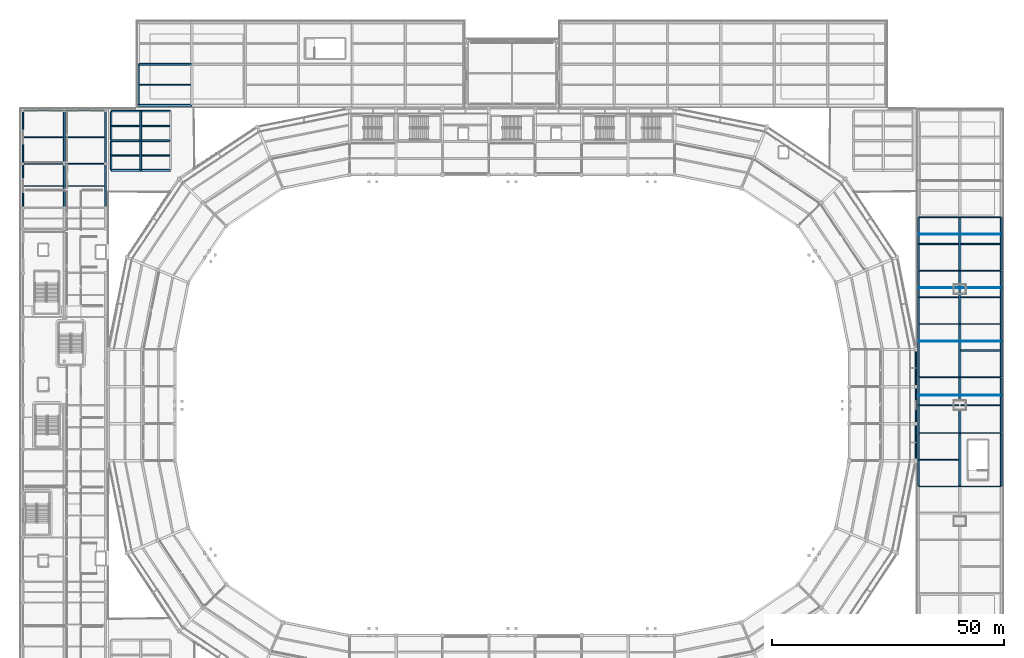
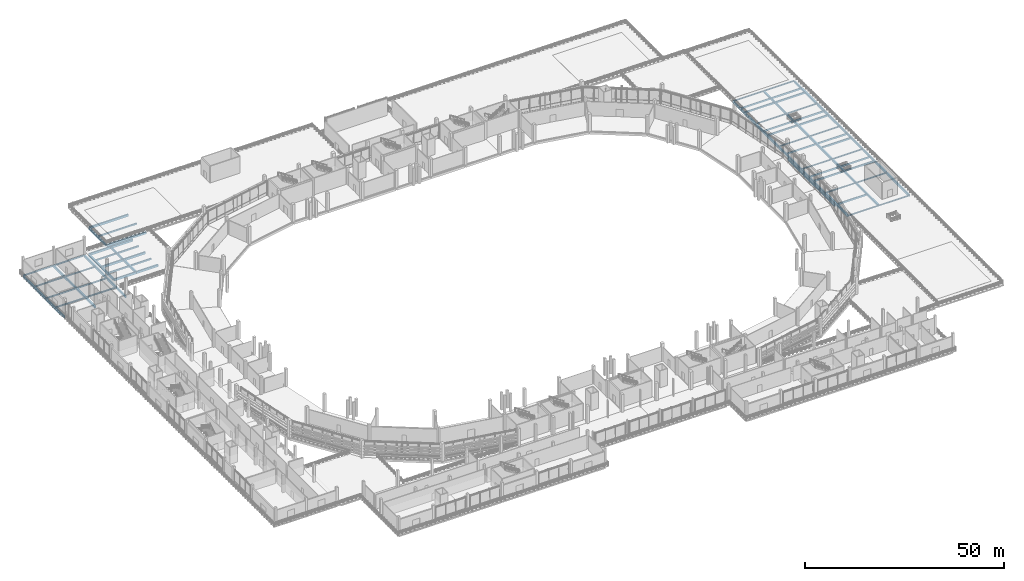
# One storey, part 44 of 111: 70 beams, 4 members.
"""IFC4 building model written with IfcOpenShell, lengths in metres."""

from ifc_helpers import new_model, si_unit, direction, frame, origin, origin_2d, place, context, subcontext, project, spatial, rectangle, i_section, extrude, material, material_profile, profile_set, type_object, element, save


model = new_model("IFC4")

# Units and contexts
model_context = context("Model", 3, precision=1e-05, world=origin(), true_north=direction((0.0, 1.0)))
body_context = subcontext(model_context, "Body", "Model", "MODEL_VIEW")
ifc_project = project(units=[si_unit("LENGTHUNIT", "METRE"), si_unit("AREAUNIT", "SQUARE_METRE"), si_unit("VOLUMEUNIT", "CUBIC_METRE"), si_unit("PLANEANGLEUNIT", "RADIAN"), si_unit("MASSUNIT", "GRAM", prefix="KILO")], contexts=[model_context])

# Site, building, storey
site_placement = place(None, origin())
site = spatial("IfcSite", under=ifc_project, at=site_placement, CompositionType="ELEMENT")
building_placement = place(site_placement, origin())
building = spatial("IfcBuilding", under=site, at=building_placement, Name="Candeia Ridge Stadium", CompositionType="ELEMENT")
storey_placement = place(building_placement, frame((0.0, 0.0, 16.199951171875)))
storey = spatial("IfcBuildingStorey", under=building, at=storey_placement, Name="L03", CompositionType="ELEMENT", Elevation=16.199951171875)

# Beams
ifc_material_1 = material(Name="Concrete C40/50", Category="concrete")
ifc_material_profile_1 = material_profile(ifc_material_1, rectangle(XDim=0.300048828125, YDim=0.449951171875, at=origin_2d()), Name="RC300x450", Category="concrete")
ifc_profile_set_1 = profile_set([ifc_material_profile_1], Name="Concrete C40/50")
beam_type_1 = type_object("IfcBeamType", Name="Floor Joist RC300x450", PredefinedType="JOIST", material=ifc_profile_set_1)
beam_1_placement = place(storey_placement, frame((25.674560546875, 152.050048828125, -0.5048828125), z_axis=(1.0, 0.0, 0.0), x_axis=(0.0, 1.0, 0.0)))
element("IfcBeam", 1, at=beam_1_placement, inside=storey, type_object=beam_type_1, Name="Wing secondary joist BM-L03-1867", PredefinedType="JOIST", context=body_context, shape_type="SweptSolid", body=[
    extrude(rectangle(XDim=0.300048828125, YDim=0.449951171875, at=origin_2d()), origin(), (0.0, 0.0, 1.0), 11.1259765625),
])
for number, where, z_axis, x_axis, name in (
    (2, (19.7744140625, 136.800048828125, -0.474853515625), (1.0, 0.0, 0.0), (0.0, 1.0, 0.0), "Wing secondary joist BM-L03-2391"),
    (3, (19.7744140625, 143.199951171875, -0.474853515625), (1.0, 0.0, 0.0), (0.0, 1.0, 0.0), "Wing secondary joist BM-L03-2393"),
    (4, (26.199462890625, 136.800048828125, -0.474853515625), (1.0, 0.0, 0.0), (0.0, 1.0, 0.0), "Wing secondary joist BM-L03-2396"),
    (5, (26.199462890625, 143.199951171875, -0.474853515625), (1.0, 0.0, 0.0), (0.0, 1.0, 0.0), "Wing secondary joist BM-L03-2398"),
):
    element("IfcBeam", number, at=place(storey_placement, frame(where, z_axis=z_axis, x_axis=x_axis)), inside=storey, type_object=beam_type_1, Name=name, PredefinedType="JOIST", context=body_context, shape_type="SweptSolid", body=[
        extrude(rectangle(XDim=0.300048828125, YDim=0.449951171875, at=origin_2d()), origin(), (0.0, 0.0, 1.0), 6.026123046875),
    ])
ifc_material_profile_2 = material_profile(ifc_material_1, rectangle(XDim=0.300048828125, YDim=0.5, at=origin_2d()), Name="RC300x500", Category="concrete")
ifc_profile_set_2 = profile_set([ifc_material_profile_2], Name="Concrete C40/50")
beam_type_2 = type_object("IfcBeamType", Name="Floor Joist RC300x500", PredefinedType="JOIST", material=ifc_profile_set_2)
for number, where, z_axis, x_axis, name in (
    (6, (193.7744140625, 71.25, -0.530029296875), (1.0, 0.0, 0.0), (0.0, 1.0, 0.0), "Wing secondary joist BM-L03-1817"),
    (7, (193.7744140625, 83.0, -0.530029296875), (1.0, 0.0, 0.0), (0.0, 1.0, 0.0), "Wing secondary joist BM-L03-1819"),
    (8, (193.7744140625, 106.25, -0.530029296875), (1.0, 0.0, 0.0), (0.0, 1.0, 0.0), "Wing secondary joist BM-L03-1822"),
    (9, (193.7744140625, 117.75, -0.530029296875), (1.0, 0.0, 0.0), (0.0, 1.0, 0.0), "Wing secondary joist BM-L03-1824"),
    (10, (202.699462890625, 83.0, -0.530029296875), (1.0, 0.0, 0.0), (0.0, 1.0, 0.0), "Wing secondary joist BM-L03-1840"),
    (11, (202.699462890625, 94.75, -0.530029296875), (1.0, 0.0, 0.0), (0.0, 1.0, 0.0), "Wing secondary joist BM-L03-1842"),
    (12, (202.699462890625, 106.25, -0.530029296875), (1.0, 0.0, 0.0), (0.0, 1.0, 0.0), "Wing secondary joist BM-L03-1844"),
    (13, (202.699462890625, 117.75, -0.530029296875), (1.0, 0.0, 0.0), (0.0, 1.0, 0.0), "Wing secondary joist BM-L03-1846"),
):
    element("IfcBeam", number, at=place(storey_placement, frame(where, z_axis=z_axis, x_axis=x_axis)), inside=storey, type_object=beam_type_2, Name=name, PredefinedType="JOIST", context=body_context, shape_type="SweptSolid", body=[
        extrude(rectangle(XDim=0.300048828125, YDim=0.5, at=origin_2d()), origin(), (0.0, 0.0, 1.0), 8.526123046875),
    ])
ifc_material_profile_3 = material_profile(ifc_material_1, rectangle(XDim=0.39990234375, YDim=0.60009765625, at=origin_2d()), Name="RC400x600", Category="concrete")
ifc_profile_set_3 = profile_set([ifc_material_profile_3], Name="Concrete C40/50")
beam_type_3 = type_object("IfcBeamType", Name="Frame Girder RC400x600", PredefinedType="BEAM", material=ifc_profile_set_3)
beam_2_placement = place(storey_placement, frame((202.5, 65.659912109375, -0.579833984375), z_axis=(0.0, 1.0, 0.0), x_axis=(-1.0, 0.0, 0.0)))
element("IfcBeam", 14, at=beam_2_placement, inside=storey, type_object=beam_type_3, Name="Structural girder BM-L03-1791", PredefinedType="BEAM", context=body_context, shape_type="SweptSolid", body=[
    extrude(rectangle(XDim=0.39990234375, YDim=0.60009765625, at=origin_2d()), origin(), (0.0, 0.0, 1.0), 11.18017578125),
])
beam_3_placement = place(storey_placement, frame((202.5, 77.159912109375, -0.579833984375), z_axis=(0.0, 1.0, 0.0), x_axis=(-1.0, 0.0, 0.0)))
element("IfcBeam", 15, at=beam_3_placement, inside=storey, type_object=beam_type_3, Name="Structural girder BM-L03-1792", PredefinedType="BEAM", context=body_context, shape_type="SweptSolid", body=[
    extrude(rectangle(XDim=0.39990234375, YDim=0.60009765625, at=origin_2d()), origin(), (0.0, 0.0, 1.0), 11.68017578125),
])
for number, where, z_axis, x_axis, name in (
    (16, (202.5, 89.159912109375, -0.579833984375), (0.0, 1.0, 0.0), (-1.0, 0.0, 0.0), "Structural girder BM-L03-1793"),
    (17, (202.5, 100.659912109375, -0.579833984375), (0.0, 1.0, 0.0), (-1.0, 0.0, 0.0), "Structural girder BM-L03-1794"),
    (18, (202.5, 112.159912109375, -0.579833984375), (0.0, 1.0, 0.0), (-1.0, 0.0, 0.0), "Structural girder BM-L03-1795"),
):
    element("IfcBeam", number, at=place(storey_placement, frame(where, z_axis=z_axis, x_axis=x_axis)), inside=storey, type_object=beam_type_3, Name=name, PredefinedType="BEAM", context=body_context, shape_type="SweptSolid", body=[
        extrude(rectangle(XDim=0.39990234375, YDim=0.60009765625, at=origin_2d()), origin(), (0.0, 0.0, 1.0), 11.18017578125),
    ])
for number, where, z_axis, x_axis, name in (
    (19, (26.0, 133.760009765625, -0.550048828125), (0.0, 1.0, 0.0), (-1.0, 0.0, 0.0), "Structural girder BM-L03-2386"),
    (20, (26.0, 140.159912109375, -0.579833984375), (0.0, 1.0, 0.0), (-1.0, 0.0, 0.0), "Structural girder BM-L03-2387"),
):
    element("IfcBeam", number, at=place(storey_placement, frame(where, z_axis=z_axis, x_axis=x_axis)), inside=storey, type_object=beam_type_3, Name=name, PredefinedType="BEAM", context=body_context, shape_type="SweptSolid", body=[
        extrude(rectangle(XDim=0.39990234375, YDim=0.60009765625, at=origin_2d()), origin(), (0.0, 0.0, 1.0), 6.080078125),
    ])
ifc_material_2 = material(Name="Steel ASTM A572 Grade 50", Category="steel")
ifc_material_profile_4 = material_profile(ifc_material_2, i_section(OverallWidth=0.1669921875, OverallDepth=0.31689453125, WebThickness=0.007568359375, FlangeThickness=0.01318359375, FilletRadius=0.011962890625, at=origin_2d()), Name="W310x52", Category="steel")
ifc_profile_set_4 = profile_set([ifc_material_profile_4], Name="Steel ASTM A572 Grade 50")
beam_type_4 = type_object("IfcBeamType", Name="Pavilion Secondary Joist W310x52", PredefinedType="JOIST", material=ifc_profile_set_4)
for number, where, z_axis, x_axis, name in (
    (21, (0.7744140625, 130.25, -0.408447265625), (1.0, 0.0, 0.0), (0.0, 1.0, 0.0), "Wing secondary joist BM-L03-1245"),
    (22, (0.7744140625, 140.75, -0.408447265625), (1.0, 0.0, 0.0), (0.0, 1.0, 0.0), "Wing secondary joist BM-L03-1247"),
    (23, (9.699462890625, 130.25, -0.408447265625), (1.0, 0.0, 0.0), (0.0, 1.0, 0.0), "Wing secondary joist BM-L03-1269"),
    (24, (9.699462890625, 140.75, -0.408447265625), (1.0, 0.0, 0.0), (0.0, 1.0, 0.0), "Wing secondary joist BM-L03-1271"),
):
    element("IfcBeam", number, at=place(storey_placement, frame(where, z_axis=z_axis, x_axis=x_axis)), inside=storey, type_object=beam_type_4, Name=name, PredefinedType="JOIST", context=body_context, shape_type="SweptSolid", body=[
        extrude(i_section(OverallWidth=0.1669921875, OverallDepth=0.31689453125, WebThickness=0.007568359375, FlangeThickness=0.01318359375, FilletRadius=0.011962890625, at=origin_2d()), origin(), (0.0, 0.0, 1.0), 8.526123046875),
    ])
ifc_material_profile_5 = material_profile(ifc_material_2, i_section(OverallWidth=0.18994140625, OverallDepth=0.45703125, WebThickness=0.009033203125, FlangeThickness=0.014404296875, FilletRadius=0.012939453125, at=origin_2d()), Name="W460x74", Category="steel")
ifc_profile_set_5 = profile_set([ifc_material_profile_5], Name="Steel ASTM A572 Grade 50")
beam_type_5 = type_object("IfcBeamType", Name="Pavilion Steel Girder W460x74", PredefinedType="BEAM", material=ifc_profile_set_5)
for number, where, z_axis, x_axis, name in (
    (25, (0.64990234375, 135.0, -0.478515625), (1.0, 0.0, 0.0), (0.0, 1.0, 0.0), "Structural girder BM-L03-1246"),
    (26, (0.64990234375, 146.5, -0.478515625), (1.0, 0.0, 0.0), (0.0, 1.0, 0.0), "Structural girder BM-L03-1248"),
    (27, (9.550048828125, 135.0, -0.478515625), (1.0, 0.0, 0.0), (0.0, 1.0, 0.0), "Structural girder BM-L03-1270"),
    (28, (9.550048828125, 146.5, -0.478515625), (1.0, 0.0, 0.0), (0.0, 1.0, 0.0), "Structural girder BM-L03-1272"),
):
    element("IfcBeam", number, at=place(storey_placement, frame(where, z_axis=z_axis, x_axis=x_axis)), inside=storey, type_object=beam_type_5, Name=name, PredefinedType="BEAM", context=body_context, shape_type="SweptSolid", body=[
        extrude(i_section(OverallWidth=0.18994140625, OverallDepth=0.45703125, WebThickness=0.009033203125, FlangeThickness=0.014404296875, FilletRadius=0.012939453125, at=origin_2d()), origin(), (0.0, 0.0, 1.0), 8.800048828125),
    ])
ifc_material_profile_6 = material_profile(ifc_material_1, rectangle(XDim=0.340087890625, YDim=0.679931640625, at=origin_2d()), Name="RC340x680", Category="concrete")
ifc_profile_set_6 = profile_set([ifc_material_profile_6], Name="Concrete C40/50")
beam_type_6 = type_object("IfcBeamType", Name="Spandrel Beam RC340x680", PredefinedType="SPANDREL", material=ifc_profile_set_6)
for number, where, z_axis, x_axis, name in (
    (29, (193.0, 71.159912109375, -0.58984375), (0.0, 1.0, 0.0), (-1.0, 0.0, 0.0), "Bowl perimeter spandrel BM-L03-0689"),
    (30, (193.0, 79.159912109375, -0.58984375), (0.0, 1.0, 0.0), (-1.0, 0.0, 0.0), "Bowl perimeter spandrel BM-L03-0694"),
    (31, (193.0, 87.159912109375, -0.58984375), (0.0, 1.0, 0.0), (-1.0, 0.0, 0.0), "Bowl perimeter spandrel BM-L03-0699"),
):
    element("IfcBeam", number, at=place(storey_placement, frame(where, z_axis=z_axis, x_axis=x_axis)), inside=storey, type_object=beam_type_6, Name=name, PredefinedType="SPANDREL", context=body_context, shape_type="SweptSolid", body=[
        extrude(rectangle(XDim=0.340087890625, YDim=0.679931640625, at=origin_2d()), origin(), (0.0, 0.0, 1.0), 7.68017578125),
    ])
ifc_material_profile_7 = material_profile(ifc_material_1, rectangle(XDim=0.35009765625, YDim=0.64990234375, at=origin_2d()), Name="RC350x650", Category="concrete")
ifc_profile_set_7 = profile_set([ifc_material_profile_7], Name="Concrete C40/50")
beam_type_7 = type_object("IfcBeamType", Name="Spandrel Beam RC350x650", PredefinedType="SPANDREL", material=ifc_profile_set_7)
beam_4_placement = place(storey_placement, frame((0.60009765625, 125.659912109375, -0.574951171875), z_axis=(0.0, 1.0, 0.0), x_axis=(-1.0, 0.0, 0.0)))
element("IfcBeam", 32, at=beam_4_placement, inside=storey, type_object=beam_type_7, Name="Structural girder BM-L03-1205", PredefinedType="SPANDREL", context=body_context, shape_type="SweptSolid", body=[
    extrude(rectangle(XDim=0.35009765625, YDim=0.64990234375, at=origin_2d()), origin(), (0.0, 0.0, 1.0), 9.18017578125),
])
beam_5_placement = place(storey_placement, frame((0.60009765625, 135.159912109375, -0.574951171875), z_axis=(0.0, 1.0, 0.0), x_axis=(-1.0, 0.0, 0.0)))
element("IfcBeam", 33, at=beam_5_placement, inside=storey, type_object=beam_type_7, Name="Structural girder BM-L03-1206", PredefinedType="SPANDREL", context=body_context, shape_type="SweptSolid", body=[
    extrude(rectangle(XDim=0.35009765625, YDim=0.64990234375, at=origin_2d()), origin(), (0.0, 0.0, 1.0), 11.18017578125),
])
beam_6_placement = place(storey_placement, frame((18.39990234375, 125.659912109375, -0.574951171875), z_axis=(0.0, 1.0, 0.0), x_axis=(-1.0, 0.0, 0.0)))
element("IfcBeam", 34, at=beam_6_placement, inside=storey, type_object=beam_type_7, Name="Structural girder BM-L03-1229", PredefinedType="SPANDREL", context=body_context, shape_type="SweptSolid", body=[
    extrude(rectangle(XDim=0.35009765625, YDim=0.64990234375, at=origin_2d()), origin(), (0.0, 0.0, 1.0), 9.18017578125),
])
for number, where, z_axis, x_axis, name in (
    (35, (18.39990234375, 135.159912109375, -0.574951171875), (0.0, 1.0, 0.0), (-1.0, 0.0, 0.0), "Structural girder BM-L03-1230"),
    (36, (193.60009765625, 65.659912109375, -0.60498046875), (0.0, 1.0, 0.0), (-1.0, 0.0, 0.0), "Structural girder BM-L03-1780"),
):
    element("IfcBeam", number, at=place(storey_placement, frame(where, z_axis=z_axis, x_axis=x_axis)), inside=storey, type_object=beam_type_7, Name=name, PredefinedType="SPANDREL", context=body_context, shape_type="SweptSolid", body=[
        extrude(rectangle(XDim=0.35009765625, YDim=0.64990234375, at=origin_2d()), origin(), (0.0, 0.0, 1.0), 11.18017578125),
    ])
beam_7_placement = place(storey_placement, frame((193.60009765625, 77.159912109375, -0.60498046875), z_axis=(0.0, 1.0, 0.0), x_axis=(-1.0, 0.0, 0.0)))
element("IfcBeam", 37, at=beam_7_placement, inside=storey, type_object=beam_type_7, Name="Structural girder BM-L03-1781", PredefinedType="SPANDREL", context=body_context, shape_type="SweptSolid", body=[
    extrude(rectangle(XDim=0.35009765625, YDim=0.64990234375, at=origin_2d()), origin(), (0.0, 0.0, 1.0), 11.68017578125),
])
for number, where, z_axis, x_axis, name in (
    (38, (193.60009765625, 89.159912109375, -0.60498046875), (0.0, 1.0, 0.0), (-1.0, 0.0, 0.0), "Structural girder BM-L03-1782"),
    (39, (193.60009765625, 100.659912109375, -0.60498046875), (0.0, 1.0, 0.0), (-1.0, 0.0, 0.0), "Structural girder BM-L03-1783"),
    (40, (193.60009765625, 112.159912109375, -0.60498046875), (0.0, 1.0, 0.0), (-1.0, 0.0, 0.0), "Structural girder BM-L03-1784"),
    (41, (211.39990234375, 65.659912109375, -0.60498046875), (0.0, 1.0, 0.0), (-1.0, 0.0, 0.0), "Structural girder BM-L03-1802"),
):
    element("IfcBeam", number, at=place(storey_placement, frame(where, z_axis=z_axis, x_axis=x_axis)), inside=storey, type_object=beam_type_7, Name=name, PredefinedType="SPANDREL", context=body_context, shape_type="SweptSolid", body=[
        extrude(rectangle(XDim=0.35009765625, YDim=0.64990234375, at=origin_2d()), origin(), (0.0, 0.0, 1.0), 11.18017578125),
    ])
beam_8_placement = place(storey_placement, frame((211.39990234375, 77.159912109375, -0.60498046875), z_axis=(0.0, 1.0, 0.0), x_axis=(-1.0, 0.0, 0.0)))
element("IfcBeam", 42, at=beam_8_placement, inside=storey, type_object=beam_type_7, Name="Structural girder BM-L03-1803", PredefinedType="SPANDREL", context=body_context, shape_type="SweptSolid", body=[
    extrude(rectangle(XDim=0.35009765625, YDim=0.64990234375, at=origin_2d()), origin(), (0.0, 0.0, 1.0), 11.68017578125),
])
for number, where, z_axis, x_axis, name in (
    (43, (211.39990234375, 89.159912109375, -0.60498046875), (0.0, 1.0, 0.0), (-1.0, 0.0, 0.0), "Structural girder BM-L03-1804"),
    (44, (211.39990234375, 100.659912109375, -0.60498046875), (0.0, 1.0, 0.0), (-1.0, 0.0, 0.0), "Structural girder BM-L03-1805"),
    (45, (211.39990234375, 112.159912109375, -0.60498046875), (0.0, 1.0, 0.0), (-1.0, 0.0, 0.0), "Structural girder BM-L03-1806"),
):
    element("IfcBeam", number, at=place(storey_placement, frame(where, z_axis=z_axis, x_axis=x_axis)), inside=storey, type_object=beam_type_7, Name=name, PredefinedType="SPANDREL", context=body_context, shape_type="SweptSolid", body=[
        extrude(rectangle(XDim=0.35009765625, YDim=0.64990234375, at=origin_2d()), origin(), (0.0, 0.0, 1.0), 11.18017578125),
    ])
beam_9_placement = place(storey_placement, frame((25.5, 147.760009765625, -0.60498046875), z_axis=(0.0, 1.0, 0.0), x_axis=(-1.0, 0.0, 0.0)))
element("IfcBeam", 46, at=beam_9_placement, inside=storey, type_object=beam_type_7, Name="Structural girder BM-L03-1852", PredefinedType="SPANDREL", context=body_context, shape_type="SweptSolid", body=[
    extrude(rectangle(XDim=0.35009765625, YDim=0.64990234375, at=origin_2d()), origin(), (0.0, 0.0, 1.0), 8.580078125),
])
for number, where, z_axis, x_axis, name in (
    (47, (19.60009765625, 133.760009765625, -0.574951171875), (0.0, 1.0, 0.0), (-1.0, 0.0, 0.0), "Structural girder BM-L03-2384"),
    (48, (19.60009765625, 140.159912109375, -0.574951171875), (0.0, 1.0, 0.0), (-1.0, 0.0, 0.0), "Structural girder BM-L03-2385"),
):
    element("IfcBeam", number, at=place(storey_placement, frame(where, z_axis=z_axis, x_axis=x_axis)), inside=storey, type_object=beam_type_7, Name=name, PredefinedType="SPANDREL", context=body_context, shape_type="SweptSolid", body=[
        extrude(rectangle(XDim=0.35009765625, YDim=0.64990234375, at=origin_2d()), origin(), (0.0, 0.0, 1.0), 6.080078125),
    ])
ifc_material_profile_8 = material_profile(ifc_material_2, i_section(OverallWidth=0.178955078125, OverallDepth=0.409912109375, WebThickness=0.0087890625, FlangeThickness=0.014404296875, FilletRadius=0.011962890625, at=origin_2d()), Name="W410x67", Category="steel")
ifc_profile_set_8 = profile_set([ifc_material_profile_8], Name="Steel ASTM A572 Grade 50")
beam_type_8 = type_object("IfcBeamType", Name="Warm-Up Hall Girder W410x67", PredefinedType="BEAM", material=ifc_profile_set_8)
for number, where, z_axis, x_axis, name in (
    (49, (193.64990234375, 65.5, -0.48486328125), (1.0, 0.0, 0.0), (0.0, 1.0, 0.0), "Structural girder BM-L03-1816"),
    (50, (193.64990234375, 77.0, -0.48486328125), (1.0, 0.0, 0.0), (0.0, 1.0, 0.0), "Structural girder BM-L03-1818"),
    (51, (193.64990234375, 89.0, -0.48486328125), (1.0, 0.0, 0.0), (0.0, 1.0, 0.0), "Structural girder BM-L03-1820"),
    (52, (193.64990234375, 100.5, -0.48486328125), (1.0, 0.0, 0.0), (0.0, 1.0, 0.0), "Structural girder BM-L03-1821"),
    (53, (193.64990234375, 112.0, -0.48486328125), (1.0, 0.0, 0.0), (0.0, 1.0, 0.0), "Structural girder BM-L03-1823"),
    (54, (193.64990234375, 123.5, -0.48486328125), (1.0, 0.0, 0.0), (0.0, 1.0, 0.0), "Structural girder BM-L03-1825"),
    (55, (202.550048828125, 65.5, -0.48486328125), (1.0, 0.0, 0.0), (0.0, 1.0, 0.0), "Structural girder BM-L03-1838"),
    (56, (202.550048828125, 77.0, -0.48486328125), (1.0, 0.0, 0.0), (0.0, 1.0, 0.0), "Structural girder BM-L03-1839"),
    (57, (202.550048828125, 89.0, -0.48486328125), (1.0, 0.0, 0.0), (0.0, 1.0, 0.0), "Structural girder BM-L03-1841"),
    (58, (202.550048828125, 100.5, -0.48486328125), (1.0, 0.0, 0.0), (0.0, 1.0, 0.0), "Structural girder BM-L03-1843"),
    (59, (202.550048828125, 112.0, -0.48486328125), (1.0, 0.0, 0.0), (0.0, 1.0, 0.0), "Structural girder BM-L03-1845"),
    (60, (202.550048828125, 123.5, -0.48486328125), (1.0, 0.0, 0.0), (0.0, 1.0, 0.0), "Structural girder BM-L03-1847"),
):
    element("IfcBeam", number, at=place(storey_placement, frame(where, z_axis=z_axis, x_axis=x_axis)), inside=storey, type_object=beam_type_8, Name=name, PredefinedType="BEAM", context=body_context, shape_type="SweptSolid", body=[
        extrude(i_section(OverallWidth=0.178955078125, OverallDepth=0.409912109375, WebThickness=0.0087890625, FlangeThickness=0.014404296875, FilletRadius=0.011962890625, at=origin_2d()), origin(), (0.0, 0.0, 1.0), 8.800048828125),
    ])

# Members
ifc_material_3 = material(Name="Glulam GL28h", Category="wood")
ifc_material_profile_9 = material_profile(ifc_material_3, rectangle(XDim=0.199951171875, YDim=0.52001953125, at=origin_2d()), Name="GL200x520", Category="wood")
ifc_profile_set_9 = profile_set([ifc_material_profile_9], Name="Glulam GL28h")
member_type = type_object("IfcMemberType", Name="Warm-Up Hall Glulam Rafter GL200x520", PredefinedType="RAFTER", material=ifc_profile_set_9)
for number, where, z_axis, x_axis, name in (
    (61, (193.64990234375, 85.159912109375, -0.5400390625), (1.0, 0.0, 0.0), (0.0, 1.0, 0.0), "Warm-up hall glulam roof rafter RAF-WU-07"),
    (62, (193.64990234375, 96.820068359375, -0.5400390625), (1.0, 0.0, 0.0), (0.0, 1.0, 0.0), "Warm-up hall glulam roof rafter RAF-WU-08"),
    (63, (193.64990234375, 108.320068359375, -0.5400390625), (1.0, 0.0, 0.0), (0.0, 1.0, 0.0), "Warm-up hall glulam roof rafter RAF-WU-09"),
    (64, (193.64990234375, 119.820068359375, -0.5400390625), (1.0, 0.0, 0.0), (0.0, 1.0, 0.0), "Warm-up hall glulam roof rafter RAF-WU-10"),
):
    element("IfcMember", number, at=place(storey_placement, frame(where, z_axis=z_axis, x_axis=x_axis)), inside=storey, type_object=member_type, Name=name, PredefinedType="RAFTER", context=body_context, shape_type="SweptSolid", body=[
        extrude(rectangle(XDim=0.199951171875, YDim=0.52001953125, at=origin_2d()), origin(), (0.0, 0.0, 1.0), 17.7001953125),
    ])

# Beams
ifc_material_profile_10 = material_profile(ifc_material_1, rectangle(XDim=0.39990234375, YDim=0.64990234375, at=origin_2d()), Name="RC400x650", Category="concrete")
ifc_profile_set_10 = profile_set([ifc_material_profile_10], Name="Concrete C40/50")
beam_type_9 = type_object("IfcBeamType", Name="Wing Primary Girder RC400x650", PredefinedType="BEAM", material=ifc_profile_set_10)
beam_10_placement = place(storey_placement, frame((9.5, 125.550048828125, -0.574951171875), z_axis=(0.0, 1.0, 0.0), x_axis=(-1.0, 0.0, 0.0)))
element("IfcBeam", 65, at=beam_10_placement, inside=storey, type_object=beam_type_9, Name="Structural girder BM-L03-1217", PredefinedType="BEAM", context=body_context, shape_type="SweptSolid", body=[
    extrude(rectangle(XDim=0.39990234375, YDim=0.64990234375, at=origin_2d()), origin(), (0.0, 0.0, 1.0), 9.39990234375),
])
for number, where, z_axis, x_axis, name in (
    (66, (9.5, 135.050048828125, -0.574951171875), (0.0, 1.0, 0.0), (-1.0, 0.0, 0.0), "Structural girder BM-L03-1218"),
    (67, (25.550048828125, 147.60009765625, -0.60498046875), (1.0, 0.0, 0.0), (0.0, 1.0, 0.0), "Structural girder BM-L03-1866"),
    (68, (25.550048828125, 156.5, -0.60498046875), (1.0, 0.0, 0.0), (0.0, 1.0, 0.0), "Structural girder BM-L03-1868"),
):
    element("IfcBeam", number, at=place(storey_placement, frame(where, z_axis=z_axis, x_axis=x_axis)), inside=storey, type_object=beam_type_9, Name=name, PredefinedType="BEAM", context=body_context, shape_type="SweptSolid", body=[
        extrude(rectangle(XDim=0.39990234375, YDim=0.64990234375, at=origin_2d()), origin(), (0.0, 0.0, 1.0), 11.39990234375),
    ])
for number, where, z_axis, x_axis, name in (
    (69, (19.64990234375, 133.60009765625, -0.574951171875), (1.0, 0.0, 0.0), (0.0, 1.0, 0.0), "Structural girder BM-L03-2390"),
    (70, (19.64990234375, 140.0, -0.574951171875), (1.0, 0.0, 0.0), (0.0, 1.0, 0.0), "Structural girder BM-L03-2392"),
    (71, (19.64990234375, 146.39990234375, -0.60498046875), (1.0, 0.0, 0.0), (0.0, 1.0, 0.0), "Structural girder BM-L03-2394"),
    (72, (26.050048828125, 133.60009765625, -0.574951171875), (1.0, 0.0, 0.0), (0.0, 1.0, 0.0), "Structural girder BM-L03-2395"),
    (73, (26.050048828125, 140.0, -0.574951171875), (1.0, 0.0, 0.0), (0.0, 1.0, 0.0), "Structural girder BM-L03-2397"),
    (74, (26.050048828125, 146.39990234375, -0.60498046875), (1.0, 0.0, 0.0), (0.0, 1.0, 0.0), "Structural girder BM-L03-2399"),
):
    element("IfcBeam", number, at=place(storey_placement, frame(where, z_axis=z_axis, x_axis=x_axis)), inside=storey, type_object=beam_type_9, Name=name, PredefinedType="BEAM", context=body_context, shape_type="SweptSolid", body=[
        extrude(rectangle(XDim=0.39990234375, YDim=0.64990234375, at=origin_2d()), origin(), (0.0, 0.0, 1.0), 6.300048828125),
    ])

save(model, "model.ifc")
